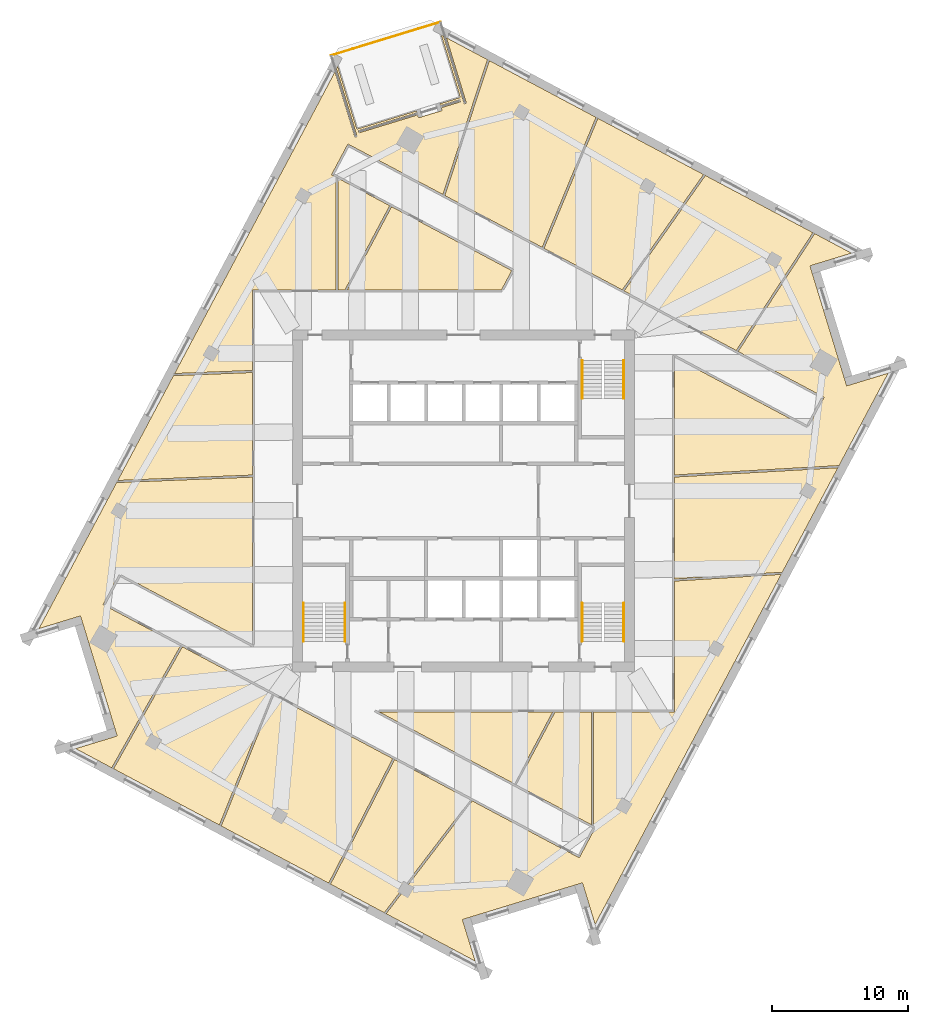
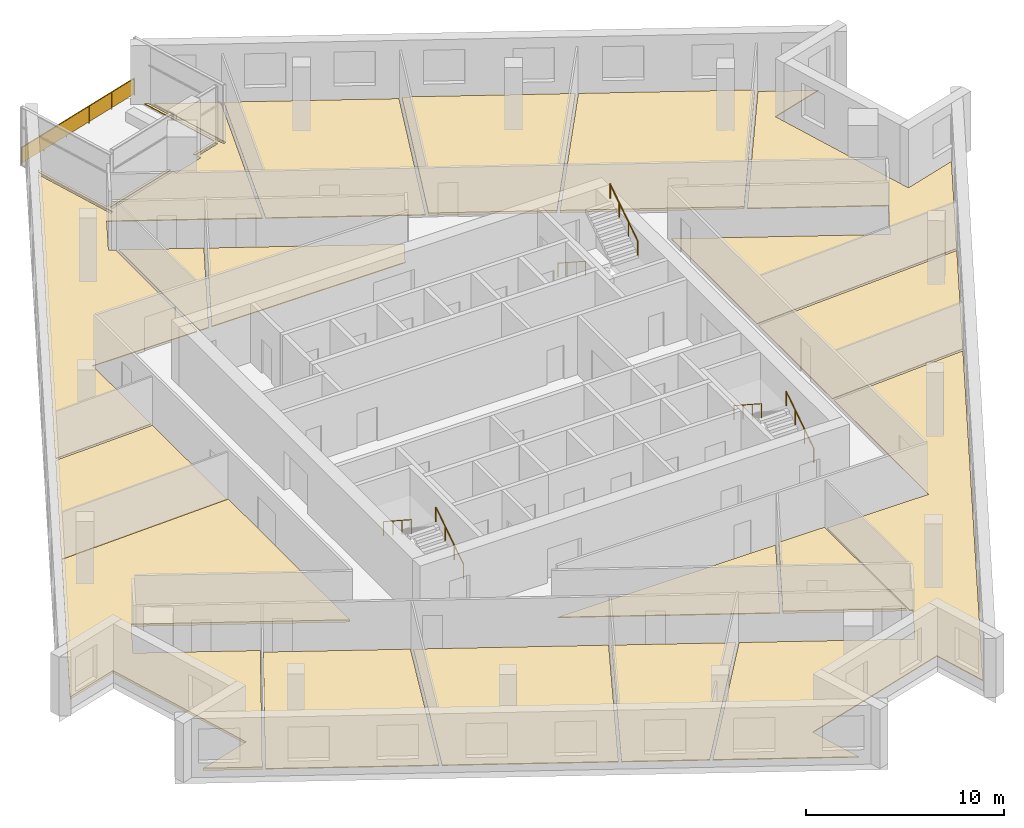
# One storey, part 12 of 13: 16 coverings, 7 railings.
"""IFC4 building model written with IfcOpenShell, lengths in metres."""

from ifc_helpers import new_model, si_unit, direction, frame, origin, origin_2d, place, context, subcontext, project, spatial, polyline, rectangle, circle, outline, extrude, material, layer, layer_set, type_object, element, save


model = new_model("IFC4")

# Units and contexts
model_context = context("Model", 3, precision=1e-05, world=origin(), true_north=direction((0.0, 1.0)))
body_context = subcontext(model_context, "Body", "Model", "MODEL_VIEW")
ifc_project = project(units=[si_unit("LENGTHUNIT", "METRE"), si_unit("AREAUNIT", "SQUARE_METRE"), si_unit("VOLUMEUNIT", "CUBIC_METRE"), si_unit("PLANEANGLEUNIT", "RADIAN"), si_unit("MASSUNIT", "GRAM", prefix="KILO")], contexts=[model_context])

# Site, building, storey
site_placement = place(None, origin())
site = spatial("IfcSite", under=ifc_project, at=site_placement, CompositionType="ELEMENT")
building_placement = place(site_placement, origin())
building = spatial("IfcBuilding", under=site, at=building_placement, Name="Dilmun Exchange Tower", CompositionType="ELEMENT")
storey_placement = place(building_placement, frame((0.0, 0.0, 274.89990234375)))
storey = spatial("IfcBuildingStorey", under=building, at=storey_placement, Name="L65", CompositionType="ELEMENT", Elevation=274.89990234375)

# Coverings
ifc_material_1 = material(Name="Carpet floor finish 50")
ifc_layer_1 = layer(ifc_material_1, 0.050048828125)
ifc_layer_set_1 = layer_set([ifc_layer_1], Name="Carpet floor finish 50")
covering_type_1 = type_object("IfcCoveringType", Name="Carpet floor finish 50", PredefinedType="FLOORING", material=ifc_layer_set_1)
covering_1_placement = place(storey_placement, origin())
element("IfcCovering", 1, at=covering_1_placement, inside=storey, type_object=covering_type_1, Name="Carpet floor finish 50 Regulator office 1", PredefinedType="FLOORING", context=body_context, shape_type="SweptSolid", body=[
    extrude(outline(polyline([(-15.47509765625, 9.41845703125), (-15.47509765625, 1.894287109375), (-25.36328125, 1.49853515625), (-21.27587890625, 9.18603515625), (-15.47509765625, 9.41845703125)])), origin(), (0.0, 0.0, 1.0), 0.050048828125),
])
covering_2_placement = place(storey_placement, origin())
element("IfcCovering", 2, at=covering_2_placement, inside=storey, type_object=covering_type_1, Name="Carpet floor finish 50 Research library 1", PredefinedType="FLOORING", context=body_context, shape_type="SweptSolid", body=[
    extrude(outline(polyline([(-14.049560546875, -14.189453125), (-17.90673828125, -23.774169921875), (-25.670654296875, -19.64599609375), (-20.620849609375, -10.695556640625), (-14.049560546875, -14.189453125)])), origin(), (0.0, 0.0, 1.0), 0.050048828125),
])
covering_3_placement = place(storey_placement, origin())
element("IfcCovering", 3, at=covering_3_placement, inside=storey, type_object=covering_type_1, Name="Carpet floor finish 50 Regulator office 2", PredefinedType="FLOORING", context=body_context, shape_type="SweptSolid", body=[
    extrude(outline(polyline([(-5.194091796875, -18.89794921875), (-9.89208984375, -28.035400390625), (-17.773681640625, -23.844970703125), (-13.916259765625, -14.26025390625), (-5.194091796875, -18.89794921875)])), origin(), (0.0, 0.0, 1.0), 0.050048828125),
])
covering_4_placement = place(storey_placement, origin())
element("IfcCovering", 4, at=covering_4_placement, inside=storey, type_object=covering_type_1, Name="Carpet floor finish 50 Garden lounge", PredefinedType="FLOORING", context=body_context, shape_type="SweptSolid", body=[
    extrude(outline(polyline([(-9.368896484375, 15.47509765625), (-15.47509765625, 15.47509765625), (-15.47509765625, 9.568603515625), (-21.194091796875, 9.339599609375), (-9.428466796875, 31.467529296875), (-7.962890625, 26.673583984375), (-7.962890625, 26.67333984375), (-7.962646484375, 26.673095703125), (-7.962646484375, 26.673095703125), (-7.96240234375, 26.6728515625), (-7.96240234375, 26.672607421875), (-7.962158203125, 26.672607421875), (-7.9619140625, 26.67236328125), (-7.9619140625, 26.67236328125), (-7.961669921875, 26.67236328125), (-7.96142578125, 26.672119140625), (-7.961181640625, 26.672119140625), (-7.961181640625, 26.672119140625), (-7.9609375, 26.672119140625), (-7.960693359375, 26.672119140625), (-7.96044921875, 26.672119140625), (-7.960205078125, 26.672119140625), (-7.807373046875, 26.718994140625), (-7.80712890625, 26.718994140625), (-7.806884765625, 26.718994140625), (-7.806884765625, 26.71923828125), (-7.806640625, 26.71923828125), (-7.806396484375, 26.719482421875), (-7.806396484375, 26.719482421875), (-7.80615234375, 26.7197265625), (-7.80615234375, 26.719970703125), (-7.805908203125, 26.72021484375), (-7.805908203125, 26.72021484375), (-7.805908203125, 26.720458984375), (-7.805908203125, 26.720703125), (-7.805908203125, 26.720947265625), (-7.805908203125, 26.72119140625), (-7.805908203125, 26.72119140625), (-7.805908203125, 26.721435546875), (-9.319580078125, 31.67236328125), (-9.224609375, 31.850830078125), (-7.82275390625, 27.265380859375), (-3.4599609375, 28.59912109375), (-3.418212890625, 28.46240234375), (-7.709228515625, 27.150390625), (-7.70947265625, 27.150390625), (-7.70947265625, 27.150390625), (-7.709716796875, 27.150390625), (-7.7099609375, 27.150146484375), (-7.7099609375, 27.14990234375), (-7.710205078125, 27.14990234375), (-7.710205078125, 27.149658203125), (-7.71044921875, 27.1494140625), (-7.71044921875, 27.1494140625), (-7.71044921875, 27.149169921875), (-7.710693359375, 27.14892578125), (-7.710693359375, 27.148681640625), (-7.710693359375, 27.148681640625), (-7.710693359375, 27.1484375), (-7.710693359375, 27.148193359375), (-7.71044921875, 27.14794921875), (-7.663818359375, 26.9951171875), (-7.663818359375, 26.994873046875), (-7.66357421875, 26.99462890625), (-7.66357421875, 26.994384765625), (-7.663330078125, 26.994384765625), (-7.6630859375, 26.994140625), (-7.6630859375, 26.993896484375), (-7.662841796875, 26.993896484375), (-7.66259765625, 26.993896484375), (-7.66259765625, 26.99365234375), (-7.662353515625, 26.99365234375), (-7.662109375, 26.99365234375), (-7.662109375, 26.99365234375), (-7.661865234375, 26.99365234375), (-7.66162109375, 26.99365234375), (-7.661376953125, 26.99365234375), (-7.6611328125, 26.99365234375), (-3.3701171875, 28.3056640625), (-3.306396484375, 28.09716796875), (-3.306396484375, 28.096923828125), (-3.306396484375, 28.0966796875), (-3.306396484375, 28.0966796875), (-3.30615234375, 28.096435546875), (-3.305908203125, 28.09619140625), (-3.305908203125, 28.09619140625), (-3.3056640625, 28.095947265625), (-3.305419921875, 28.095947265625), (-3.305419921875, 28.095947265625), (-3.30517578125, 28.095703125), (-3.304931640625, 28.095703125), (-3.3046875, 28.095703125), (-3.3046875, 28.095703125), (-3.304443359375, 28.095703125), (-3.30419921875, 28.095703125), (-3.303955078125, 28.095703125), (-1.58251953125, 28.6220703125), (-1.58251953125, 28.6220703125), (-1.582275390625, 28.6220703125), (-1.58203125, 28.622314453125), (-1.581787109375, 28.622314453125), (-1.581787109375, 28.62255859375), (-1.581787109375, 28.62255859375), (-1.58154296875, 28.622802734375), (-1.581298828125, 28.623046875), (-1.581298828125, 28.623046875), (-1.581298828125, 28.623291015625), (-1.581298828125, 28.62353515625), (-1.581298828125, 28.623779296875), (-1.581298828125, 28.623779296875), (-1.581298828125, 28.6240234375), (-1.581298828125, 28.624267578125), (-1.581298828125, 28.62451171875), (-1.64501953125, 28.8330078125), (-0.222900390625, 29.267822265625), (-0.22265625, 29.267822265625), (-0.22265625, 29.267822265625), (-0.222412109375, 29.26806640625), (-0.22216796875, 29.268310546875), (-0.22216796875, 29.268310546875), (-0.221923828125, 29.268310546875), (-0.2216796875, 29.2685546875), (-0.2216796875, 29.268798828125), (-0.2216796875, 29.268798828125), (-0.2216796875, 29.26904296875), (-0.221435546875, 29.269287109375), (-0.221435546875, 29.26953125), (-0.221435546875, 29.269775390625), (-0.221435546875, 29.27001953125), (-0.221435546875, 29.27001953125), (-0.2216796875, 29.270263671875), (-0.268310546875, 29.42333984375), (-0.268310546875, 29.423583984375), (-0.2685546875, 29.423583984375), (-0.2685546875, 29.423828125), (-0.268798828125, 29.424072265625), (-0.268798828125, 29.424072265625), (-0.26904296875, 29.42431640625), (-0.269287109375, 29.42431640625), (-0.269287109375, 29.424560546875), (-0.26953125, 29.424560546875), (-0.269775390625, 29.424560546875), (-0.27001953125, 29.4248046875), (-0.27001953125, 29.4248046875), (-0.270263671875, 29.4248046875), (-0.2705078125, 29.4248046875), (-0.270751953125, 29.4248046875), (-0.27099609375, 29.424560546875), (-1.693115234375, 28.98974609375), (-1.73486328125, 29.126708984375), (-0.240966796875, 29.583251953125), (-1.642822265625, 34.1689453125), (-1.46435546875, 34.073974609375), (0.04931640625, 29.123046875), (0.04931640625, 29.122802734375), (0.04931640625, 29.122802734375), (0.049560546875, 29.12255859375), (0.0498046875, 29.122314453125), (0.0498046875, 29.122314453125), (0.0498046875, 29.1220703125), (0.050048828125, 29.121826171875), (0.05029296875, 29.121826171875), (0.05029296875, 29.121826171875), (0.050537109375, 29.12158203125), (0.05078125, 29.12158203125), (0.051025390625, 29.12158203125), (0.05126953125, 29.12158203125), (0.051513671875, 29.12158203125), (0.051513671875, 29.12158203125), (0.0517578125, 29.12158203125), (0.204833984375, 29.16845703125), (0.205078125, 29.16845703125), (0.205078125, 29.168701171875), (0.205322265625, 29.168701171875), (0.20556640625, 29.168701171875), (0.20556640625, 29.1689453125), (0.205810546875, 29.169189453125), (0.205810546875, 29.169189453125), (0.2060546875, 29.16943359375), (0.2060546875, 29.169677734375), (0.2060546875, 29.169921875), (0.206298828125, 29.169921875), (0.206298828125, 29.170166015625), (0.206298828125, 29.17041015625), (0.206298828125, 29.170654296875), (0.206298828125, 29.1708984375), (0.2060546875, 29.1708984375), (-1.259521484375, 33.965087890625), (1.754638671875, 32.3623046875), (-1.515380859375, 22.465576171875), (-8.48193359375, 26.169677734375), (-9.67919921875, 23.918212890625), (-9.368896484375, 23.75341796875), (-9.368896484375, 15.47509765625)])), origin(), (0.0, 0.0, 1.0), 0.050048828125),
])
covering_5_placement = place(storey_placement, origin())
element("IfcCovering", 5, at=covering_5_placement, inside=storey, type_object=covering_type_1, Name="Carpet floor finish 50 Regulator office 3", PredefinedType="FLOORING", context=body_context, shape_type="SweptSolid", body=[
    extrude(outline(polyline([(0.49951171875, -21.92529296875), (-5.816650390625, -30.202392578125), (-9.759765625, -28.10595703125), (-5.0615234375, -18.968505859375), (0.49951171875, -21.92529296875)])), origin(), (0.0, 0.0, 1.0), 0.050048828125),
])
covering_6_placement = place(storey_placement, origin())
element("IfcCovering", 6, at=covering_6_placement, inside=storey, type_object=covering_type_1, Name="Carpet floor finish 50 Regulator office 4", PredefinedType="FLOORING", context=body_context, shape_type="SweptSolid", body=[
    extrude(outline(polyline([(3.537353515625, 16.890869140625), (2.78466796875, 15.47509765625), (-8.526611328125, 15.47509765625), (-5.28076171875, 21.579345703125), (3.537353515625, 16.890869140625)])), origin(), (0.0, 0.0, 1.0), 0.050048828125),
])
covering_7_placement = place(storey_placement, origin())
element("IfcCovering", 7, at=covering_7_placement, inside=storey, type_object=covering_type_1, Name="Carpet floor finish 50 Regulator office 5", PredefinedType="FLOORING", context=body_context, shape_type="SweptSolid", body=[
    extrude(outline(polyline([(-0.740966796875, -18.377685546875), (-6.2001953125, -15.47509765625), (6.538818359375, -15.47509765625), (3.731201171875, -20.755615234375), (-0.740966796875, -18.377685546875)])), origin(), (0.0, 0.0, 1.0), 0.050048828125),
])
covering_8_placement = place(storey_placement, origin())
element("IfcCovering", 8, at=covering_8_placement, inside=storey, type_object=covering_type_1, Name="Carpet floor finish 50 Supervision hall", PredefinedType="FLOORING", context=body_context, shape_type="SweptSolid", body=[
    extrude(outline(polyline([(1.888916015625, 32.291015625), (9.716064453125, 28.129150390625), (5.76611328125, 18.59375), (-1.381103515625, 22.39404296875), (1.888916015625, 32.291015625)])), origin(), (0.0, 0.0, 1.0), 0.050048828125),
])
covering_9_placement = place(storey_placement, origin())
element("IfcCovering", 9, at=covering_9_placement, inside=storey, type_object=covering_type_1, Name="Carpet floor finish 50 Research library 2", PredefinedType="FLOORING", context=body_context, shape_type="SweptSolid", body=[
    extrude(outline(polyline([(15.47509765625, -15.47509765625), (15.47509765625, -5.87890625), (23.29638671875, -5.385986328125), (9.648193359375, -31.054443359375), (8.7177734375, -28.01123046875), (8.7177734375, -28.010986328125), (8.7177734375, -28.0107421875), (8.717529296875, -28.0107421875), (8.71728515625, -28.010498046875), (8.71728515625, -28.010498046875), (8.71728515625, -28.01025390625), (8.717041015625, -28.010009765625), (8.716796875, -28.010009765625), (8.716796875, -28.010009765625), (8.716552734375, -28.010009765625), (8.71630859375, -28.009765625), (8.716064453125, -28.009765625), (8.7158203125, -28.009765625), (8.7158203125, -28.009765625), (8.715576171875, -28.009765625), (8.71533203125, -28.010009765625), (8.1416015625, -28.185302734375), (8.141357421875, -28.185302734375), (8.141357421875, -28.185302734375), (0.4912109375, -30.5244140625), (-0.082763671875, -30.69970703125), (-0.0830078125, -30.69970703125), (-0.0830078125, -30.69970703125), (-0.083251953125, -30.699951171875), (-0.08349609375, -30.7001953125), (-0.08349609375, -30.7001953125), (-0.08349609375, -30.7001953125), (-0.083740234375, -30.700439453125), (-0.083984375, -30.70068359375), (-0.083984375, -30.70068359375), (-0.083984375, -30.700927734375), (-0.083984375, -30.701171875), (-0.083984375, -30.701416015625), (-0.083984375, -30.70166015625), (-0.083984375, -30.701904296875), (-0.083984375, -30.701904296875), (-0.083984375, -30.7021484375), (0.846435546875, -33.745361328125), (-5.6826171875, -30.27392578125), (0.633544921875, -21.99658203125), (8.48193359375, -26.169677734375), (9.67919921875, -23.918212890625), (9.53662109375, -23.84228515625), (9.53662109375, -15.47509765625), (15.47509765625, -15.47509765625)])), origin(), (0.0, 0.0, 1.0), 0.050048828125),
])
covering_10_placement = place(storey_placement, origin())
element("IfcCovering", 10, at=covering_10_placement, inside=storey, type_object=covering_type_1, Name="Carpet floor finish 50 Regulator office 6", PredefinedType="FLOORING", context=body_context, shape_type="SweptSolid", body=[
    extrude(outline(polyline([(15.47509765625, 1.750244140625), (27.454345703125, 2.43408203125), (23.37890625, -5.230712890625), (15.47509765625, -5.728515625), (15.47509765625, 1.750244140625)])), origin(), (0.0, 0.0, 1.0), 0.050048828125),
])
covering_11_placement = place(storey_placement, origin())
element("IfcCovering", 11, at=covering_11_placement, inside=storey, type_object=covering_type_1, Name="Carpet floor finish 50 Regulator office 7", PredefinedType="FLOORING", context=body_context, shape_type="SweptSolid", body=[
    extrude(outline(polyline([(25.241455078125, 5.3505859375), (26.438720703125, 7.60205078125), (20.131591796875, 10.95556640625), (25.7529296875, 19.602294921875), (28.449462890625, 18.16845703125), (25.40625, 17.238037109375), (25.406005859375, 17.238037109375), (25.406005859375, 17.238037109375), (25.40576171875, 17.23779296875), (25.405517578125, 17.23779296875), (25.405517578125, 17.237548828125), (25.4052734375, 17.237548828125), (25.4052734375, 17.2373046875), (25.405029296875, 17.237060546875), (25.405029296875, 17.237060546875), (25.405029296875, 17.23681640625), (25.40478515625, 17.236572265625), (25.40478515625, 17.236328125), (25.40478515625, 17.236083984375), (25.40478515625, 17.236083984375), (25.40478515625, 17.23583984375), (25.405029296875, 17.235595703125), (25.580322265625, 16.662109375), (25.580322265625, 16.661865234375), (27.91943359375, 9.011474609375), (28.0947265625, 8.4375), (28.094970703125, 8.4375), (28.094970703125, 8.437255859375), (28.09521484375, 8.43701171875), (28.09521484375, 8.43701171875), (28.09521484375, 8.436767578125), (28.095458984375, 8.436767578125), (28.095703125, 8.4365234375), (28.095703125, 8.436279296875), (28.095947265625, 8.436279296875), (28.09619140625, 8.436279296875), (28.09619140625, 8.436279296875), (28.096435546875, 8.436279296875), (28.0966796875, 8.436279296875), (28.096923828125, 8.436279296875), (28.09716796875, 8.436279296875), (28.097412109375, 8.436279296875), (31.140380859375, 9.36669921875), (27.536865234375, 2.589111328125), (15.47509765625, 1.900390625), (15.47509765625, 10.54345703125), (25.241455078125, 5.3505859375)])), origin(), (0.0, 0.0, 1.0), 0.050048828125),
])
ifc_material_2 = material(Name="Raised access floor 150")
ifc_layer_2 = layer(ifc_material_2, 0.14990234375)
ifc_layer_set_2 = layer_set([ifc_layer_2], Name="Raised access floor 150")
covering_type_2 = type_object("IfcCoveringType", Name="Raised access floor 150", PredefinedType="FLOORING", material=ifc_layer_set_2)
covering_12_placement = place(storey_placement, origin())
element("IfcCovering", 12, at=covering_12_placement, inside=storey, type_object=covering_type_2, Name="Raised access floor 150 Analytics room 1", PredefinedType="FLOORING", context=body_context, shape_type="SweptSolid", body=[
    extrude(outline(polyline([(-15.47509765625, 1.743896484375), (-15.47509765625, -10.54345703125), (-25.241455078125, -5.3505859375), (-26.438720703125, -7.60205078125), (-20.753173828125, -10.625), (-25.802978515625, -19.57568359375), (-28.449462890625, -18.16845703125), (-25.40625, -17.238037109375), (-25.406005859375, -17.238037109375), (-25.406005859375, -17.238037109375), (-25.40576171875, -17.23779296875), (-25.405517578125, -17.23779296875), (-25.405517578125, -17.237548828125), (-25.4052734375, -17.237548828125), (-25.4052734375, -17.2373046875), (-25.405029296875, -17.237060546875), (-25.405029296875, -17.237060546875), (-25.405029296875, -17.23681640625), (-25.40478515625, -17.236572265625), (-25.40478515625, -17.236328125), (-25.40478515625, -17.236083984375), (-25.40478515625, -17.236083984375), (-25.40478515625, -17.23583984375), (-25.405029296875, -17.235595703125), (-25.580322265625, -16.662109375), (-25.580322265625, -16.661865234375), (-27.91943359375, -9.011474609375), (-28.0947265625, -8.4375), (-28.094970703125, -8.4375), (-28.094970703125, -8.437255859375), (-28.09521484375, -8.43701171875), (-28.09521484375, -8.43701171875), (-28.09521484375, -8.436767578125), (-28.095458984375, -8.436767578125), (-28.095703125, -8.4365234375), (-28.095703125, -8.436279296875), (-28.095947265625, -8.436279296875), (-28.09619140625, -8.436279296875), (-28.09619140625, -8.436279296875), (-28.096435546875, -8.436279296875), (-28.0966796875, -8.436279296875), (-28.096923828125, -8.436279296875), (-28.09716796875, -8.436279296875), (-28.097412109375, -8.436279296875), (-31.140380859375, -9.36669921875), (-25.44482421875, 1.34521484375), (-15.47509765625, 1.743896484375)])), origin(), (0.0, 0.0, 1.0), 0.150146484375),
])
covering_13_placement = place(storey_placement, origin())
element("IfcCovering", 13, at=covering_13_placement, inside=storey, type_object=covering_type_2, Name="Raised access floor 150 Analytics room 2", PredefinedType="FLOORING", context=body_context, shape_type="SweptSolid", body=[
    extrude(outline(polyline([(9.38671875, -15.47509765625), (9.38671875, -23.7626953125), (3.863525390625, -20.825927734375), (6.708740234375, -15.47509765625), (9.38671875, -15.47509765625)])), origin(), (0.0, 0.0, 1.0), 0.150146484375),
])
covering_14_placement = place(storey_placement, origin())
element("IfcCovering", 14, at=covering_14_placement, inside=storey, type_object=covering_type_2, Name="Raised access floor 150 Analytics room 3", PredefinedType="FLOORING", context=body_context, shape_type="SweptSolid", body=[
    extrude(outline(polyline([(5.899169921875, 18.523193359375), (9.84912109375, 28.058349609375), (17.599853515625, 23.937255859375), (11.638671875, 15.47119140625), (5.899169921875, 18.523193359375)])), origin(), (0.0, 0.0, 1.0), 0.150146484375),
])
covering_15_placement = place(storey_placement, origin())
element("IfcCovering", 15, at=covering_15_placement, inside=storey, type_object=covering_type_2, Name="Raised access floor 150 Analytics room 4", PredefinedType="FLOORING", context=body_context, shape_type="SweptSolid", body=[
    extrude(outline(polyline([(11.772216796875, 15.400390625), (17.7333984375, 23.8662109375), (25.6201171875, 19.6728515625), (19.99853515625, 11.0263671875), (11.772216796875, 15.400390625)])), origin(), (0.0, 0.0, 1.0), 0.150146484375),
])

# Railings
ifc_material_3 = material(Name="Stainless steel", Category="steel")
railing_type_1 = type_object("IfcRailingType", Name="Stair handrail 900", PredefinedType="HANDRAIL", material=ifc_material_3)
railing_1_placement = place(storey_placement, frame((8.699951171875, 10.300048828125, 0.181884765625)))
element("IfcRailing", 16, at=railing_1_placement, inside=storey, type_object=railing_type_1, Name="L65 ST1 stair handrail 1", PredefinedType="HANDRAIL", context=body_context, shape_type="SweptSolid", body=[
    extrude(circle(Radius=0.02392578125, at=origin_2d()), frame((0.0, 0.0, 0.8759765625), z_axis=(0.0, -0.838705829183, 0.544584733623), x_axis=(1.0, 0.0, 0.0)), (0.0, 0.0, 1.0), 3.338623046875),
    extrude(circle(Radius=0.02099609375, at=origin_2d()), origin(), (0.0, 0.0, 1.0), 0.851806640625),
    extrude(circle(Radius=0.02099609375, at=origin_2d()), frame((0.0, -0.933349609375, 0.60595703125)), (0.0, 0.0, 1.0), 0.851806640625),
    extrude(circle(Radius=0.02099609375, at=origin_2d()), frame((0.0, -1.86669921875, 1.212158203125)), (0.0, 0.0, 1.0), 0.851806640625),
    extrude(circle(Radius=0.02099609375, at=origin_2d()), frame((0.0, -2.800048828125, 1.818115234375)), (0.0, 0.0, 1.0), 0.851806640625),
])
for number, where, name in (
    (17, (11.75, 7.5, 2.181884765625), "L65 ST1 stair handrail 2"),
    (18, (-8.699951171875, -10.300048828125, 0.181884765625), "L65 ST2 stair handrail 1"),
):
    element("IfcRailing", number, at=place(storey_placement, frame(where)), inside=storey, type_object=railing_type_1, Name=name, PredefinedType="HANDRAIL", context=body_context, shape_type="SweptSolid", body=[
        extrude(circle(Radius=0.02392578125, at=origin_2d()), frame((0.0, 0.0, 0.8759765625), z_axis=(0.0, 0.838705829183, 0.544584733623), x_axis=(-1.0, 0.0, 0.0)), (0.0, 0.0, 1.0), 3.338623046875),
        extrude(circle(Radius=0.02099609375, at=origin_2d()), origin(), (0.0, 0.0, 1.0), 0.851806640625),
        extrude(circle(Radius=0.02099609375, at=origin_2d()), frame((0.0, 0.933349609375, 0.60595703125)), (0.0, 0.0, 1.0), 0.851806640625),
        extrude(circle(Radius=0.02099609375, at=origin_2d()), frame((0.0, 1.86669921875, 1.212158203125)), (0.0, 0.0, 1.0), 0.851806640625),
        extrude(circle(Radius=0.02099609375, at=origin_2d()), frame((0.0, 2.800048828125, 1.818115234375)), (0.0, 0.0, 1.0), 0.851806640625),
    ])
railing_2_placement = place(storey_placement, frame((-11.75, -7.5, 2.181884765625)))
element("IfcRailing", 19, at=railing_2_placement, inside=storey, type_object=railing_type_1, Name="L65 ST2 stair handrail 2", PredefinedType="HANDRAIL", context=body_context, shape_type="SweptSolid", body=[
    extrude(circle(Radius=0.02392578125, at=origin_2d()), frame((0.0, 0.0, 0.8759765625), z_axis=(0.0, -0.838705829183, 0.544584733623), x_axis=(1.0, 0.0, 0.0)), (0.0, 0.0, 1.0), 3.338623046875),
    extrude(circle(Radius=0.02099609375, at=origin_2d()), origin(), (0.0, 0.0, 1.0), 0.851806640625),
    extrude(circle(Radius=0.02099609375, at=origin_2d()), frame((0.0, -0.933349609375, 0.60595703125)), (0.0, 0.0, 1.0), 0.851806640625),
    extrude(circle(Radius=0.02099609375, at=origin_2d()), frame((0.0, -1.86669921875, 1.212158203125)), (0.0, 0.0, 1.0), 0.851806640625),
    extrude(circle(Radius=0.02099609375, at=origin_2d()), frame((0.0, -2.800048828125, 1.818115234375)), (0.0, 0.0, 1.0), 0.851806640625),
])
railing_3_placement = place(storey_placement, frame((11.75, -10.300048828125, 0.181884765625)))
element("IfcRailing", 20, at=railing_3_placement, inside=storey, type_object=railing_type_1, Name="L65 ST3 stair handrail 1", PredefinedType="HANDRAIL", context=body_context, shape_type="SweptSolid", body=[
    extrude(circle(Radius=0.02392578125, at=origin_2d()), frame((0.0, 0.0, 0.8759765625), z_axis=(0.0, 0.838705829183, 0.544584733623), x_axis=(-1.0, 0.0, 0.0)), (0.0, 0.0, 1.0), 3.338623046875),
    extrude(circle(Radius=0.02099609375, at=origin_2d()), origin(), (0.0, 0.0, 1.0), 0.851806640625),
    extrude(circle(Radius=0.02099609375, at=origin_2d()), frame((0.0, 0.933349609375, 0.60595703125)), (0.0, 0.0, 1.0), 0.851806640625),
    extrude(circle(Radius=0.02099609375, at=origin_2d()), frame((0.0, 1.86669921875, 1.212158203125)), (0.0, 0.0, 1.0), 0.851806640625),
    extrude(circle(Radius=0.02099609375, at=origin_2d()), frame((0.0, 2.800048828125, 1.818115234375)), (0.0, 0.0, 1.0), 0.851806640625),
])
railing_4_placement = place(storey_placement, frame((8.699951171875, -7.5, 2.181884765625)))
element("IfcRailing", 21, at=railing_4_placement, inside=storey, type_object=railing_type_1, Name="L65 ST3 stair handrail 2", PredefinedType="HANDRAIL", context=body_context, shape_type="SweptSolid", body=[
    extrude(circle(Radius=0.02392578125, at=origin_2d()), frame((0.0, 0.0, 0.8759765625), z_axis=(0.0, -0.838705829183, 0.544584733623), x_axis=(1.0, 0.0, 0.0)), (0.0, 0.0, 1.0), 3.338623046875),
    extrude(circle(Radius=0.02099609375, at=origin_2d()), origin(), (0.0, 0.0, 1.0), 0.851806640625),
    extrude(circle(Radius=0.02099609375, at=origin_2d()), frame((0.0, -0.933349609375, 0.60595703125)), (0.0, 0.0, 1.0), 0.851806640625),
    extrude(circle(Radius=0.02099609375, at=origin_2d()), frame((0.0, -1.86669921875, 1.212158203125)), (0.0, 0.0, 1.0), 0.851806640625),
    extrude(circle(Radius=0.02099609375, at=origin_2d()), frame((0.0, -2.800048828125, 1.818115234375)), (0.0, 0.0, 1.0), 0.851806640625),
])
railing_type_2 = type_object("IfcRailingType", Name="Terrace guard 1100 stainless steel", PredefinedType="GUARDRAIL", material=ifc_material_3)
railing_5_placement = place(storey_placement, frame((-9.710693359375, 32.6708984375, 0.0)))
element("IfcRailing", 22, at=railing_5_placement, inside=storey, type_object=railing_type_2, Name="Terrace guard 1", PredefinedType="GUARDRAIL", context=body_context, shape_type="SweptSolid", body=[
    extrude(circle(Radius=0.02392578125, at=origin_2d()), frame((0.0, 0.0, 1.076171875), z_axis=(0.956300433747, 0.292385841679, 0.0), x_axis=(-0.292385841679, 0.956300433747, 0.0)), (0.0, 0.0, 1.0), 8.37841796875),
    extrude(rectangle(XDim=0.011962890625, YDim=0.951904296875, at=origin_2d()), frame((0.0, 0.0, 0.576171875), z_axis=(0.956300433747, 0.292385841679, 0.0), x_axis=(-0.292385841679, 0.956300433747, 0.0)), (0.0, 0.0, 1.0), 8.37841796875),
    extrude(circle(Radius=0.02099609375, at=origin_2d()), origin(), (0.0, 0.0, 1.0), 1.052001953125),
    extrude(circle(Radius=0.02099609375, at=origin_2d()), frame((1.6025390625, 0.489990234375, 0.0)), (0.0, 0.0, 1.0), 1.052001953125),
    extrude(circle(Radius=0.02099609375, at=origin_2d()), frame((3.204833984375, 0.97998046875, 0.0)), (0.0, 0.0, 1.0), 1.052001953125),
    extrude(circle(Radius=0.02099609375, at=origin_2d()), frame((4.807373046875, 1.4697265625, 0.0)), (0.0, 0.0, 1.0), 1.052001953125),
    extrude(circle(Radius=0.02099609375, at=origin_2d()), frame((6.40966796875, 1.959716796875, 0.0)), (0.0, 0.0, 1.0), 1.052001953125),
    extrude(circle(Radius=0.02099609375, at=origin_2d()), frame((8.01220703125, 2.44970703125, 0.0)), (0.0, 0.0, 1.0), 1.052001953125),
])

# Covering
ifc_material_4 = material(Name="Tile floor finish 50")
ifc_layer_3 = layer(ifc_material_4, 0.050048828125)
ifc_layer_set_3 = layer_set([ifc_layer_3], Name="Tile floor finish 50")
covering_type_3 = type_object("IfcCoveringType", Name="Tile floor finish 50", PredefinedType="FLOORING", material=ifc_layer_set_3)
covering_16_placement = place(storey_placement, origin())
element("IfcCovering", 23, at=covering_16_placement, inside=storey, type_object=covering_type_3, Name="Tile floor finish 50 Pantry", PredefinedType="FLOORING", context=body_context, shape_type="SweptSolid", body=[
    extrude(outline(polyline([(-5.4130859375, 21.64990234375), (-8.6962890625, 15.47509765625), (-9.218994140625, 15.47509765625), (-9.218994140625, 23.673583984375), (-5.4130859375, 21.64990234375)])), origin(), (0.0, 0.0, 1.0), 0.050048828125),
])

save(model, "model.ifc")
